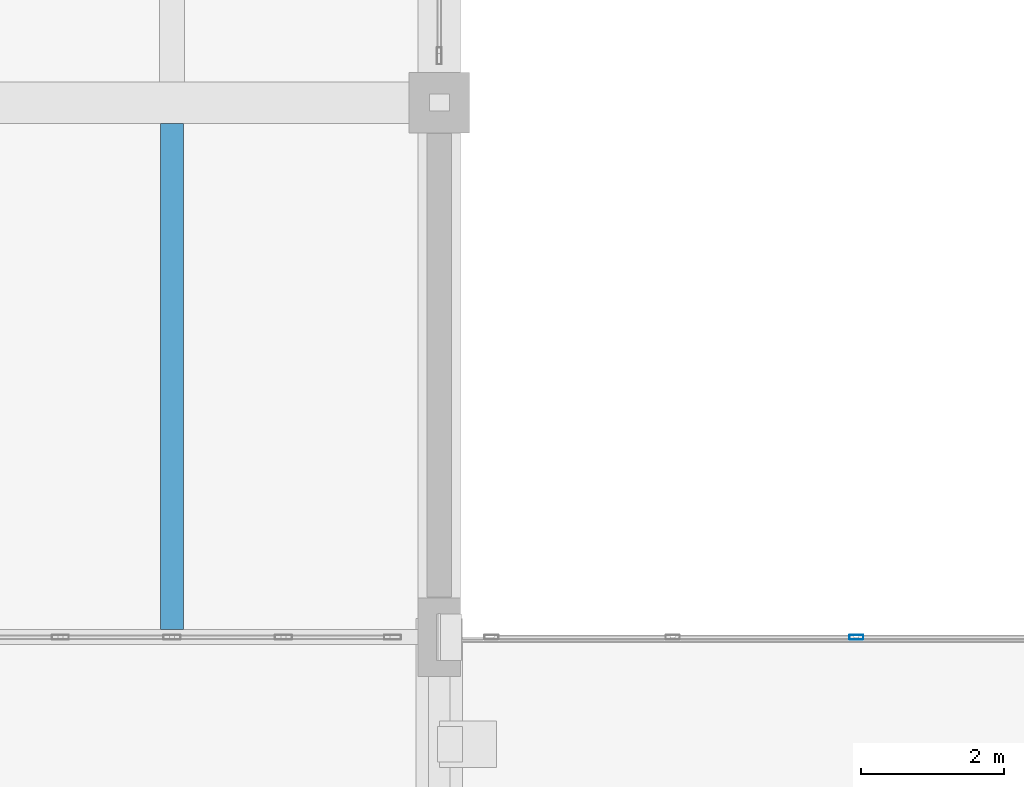
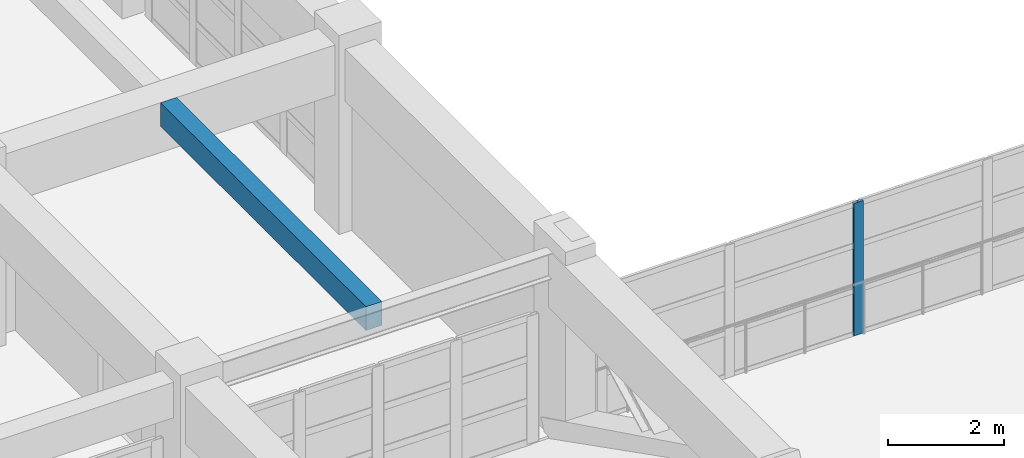
# One storey, part 37 of 132: 1 beam, 1 member, 1 element without a shape of its own.
"""IFC4 building model written with IfcOpenShell, lengths in metres."""

from ifc_helpers import new_model, si_unit, direction, frame, origin, origin_2d, place, context, subcontext, project, spatial, rectangle, hollow_rectangle, extrude, material, material_profile, profile_set, type_object, element, aggregate, save


model = new_model("IFC4")

# Units and contexts
model_context = context("Model", 3, precision=1e-05, world=origin(), true_north=direction((0.0, 1.0)))
body_context = subcontext(model_context, "Body", "Model", "MODEL_VIEW")
ifc_project = project(units=[si_unit("LENGTHUNIT", "METRE"), si_unit("AREAUNIT", "SQUARE_METRE"), si_unit("VOLUMEUNIT", "CUBIC_METRE"), si_unit("PLANEANGLEUNIT", "RADIAN"), si_unit("MASSUNIT", "GRAM", prefix="KILO")], contexts=[model_context])

# Site, building, storey
site_placement = place(None, origin())
site = spatial("IfcSite", under=ifc_project, at=site_placement, CompositionType="ELEMENT")
building_placement = place(site_placement, origin())
building = spatial("IfcBuilding", under=site, at=building_placement, Name="Qasida Concert Hall", CompositionType="ELEMENT")
storey_placement = place(building_placement, frame((0.0, 0.0, 4.800048828125)))
storey = spatial("IfcBuildingStorey", under=building, at=storey_placement, Name="L01", CompositionType="ELEMENT", Elevation=4.800048828125)

# Beam
ifc_material_1 = material(Name="Concrete C40/50", Category="concrete")
ifc_material_profile_1 = material_profile(ifc_material_1, rectangle(XDim=0.320068359375, YDim=0.5, at=origin_2d()), Name="RC 320x500")
ifc_profile_set_1 = profile_set([ifc_material_profile_1], Name="Concrete C40/50")
beam_type = type_object("IfcBeamType", Name="BM-J7", PredefinedType="JOIST", material=ifc_profile_set_1)
beam_placement = place(storey_placement, frame((101.25, 22.60498046875, 3.669921875), z_axis=(0.0, 1.0, 0.0), x_axis=(-1.0, 0.0, 0.0)))
element("IfcBeam", 1, at=beam_placement, inside=storey, type_object=beam_type, Name="L01 secondary joist 0846", PredefinedType="JOIST", context=body_context, shape_type="SweptSolid", body=[
    extrude(rectangle(XDim=0.320068359375, YDim=0.5, at=origin_2d()), origin(), (0.0, 0.0, 1.0), 7.10498046875),
])

# Curtain wall, member
ifc_material_2 = material(Name="Architectural bronze-anodized aluminium and low-E glass", Category="aluminium")
curtain_wall_type = type_object("IfcCurtainWallType", Name="CW-07", PredefinedType="NOTDEFINED", material=ifc_material_2)
curtain_wall_placement = place(storey_placement, origin())
curtain_wall = element("IfcCurtainWall", 2, at=curtain_wall_placement, inside=storey, type_object=curtain_wall_type, Name="L01 link bridge glazing 0235", PredefinedType="NOTDEFINED")
ifc_material_3 = material(Name="Architectural bronze-anodized aluminium EN AW-6063", Category="aluminium")
ifc_material_profile_2 = material_profile(ifc_material_3, hollow_rectangle(XDim=0.06494140625, YDim=0.199951171875, WallThickness=0.0048828125, InnerFilletRadius=0.0048828125, OuterFilletRadius=0.010009765625, at=origin_2d()), Name="CWM 200x65x5")
ifc_profile_set_2 = profile_set([ifc_material_profile_2], Name="Architectural bronze-anodized aluminium EN AW-6063")
member_type = type_object("IfcMemberType", Name="MB-CWM-2", PredefinedType="MULLION", material=ifc_profile_set_2)
member_placement = place(storey_placement, frame((110.85009765625, 22.5, 0.0), z_axis=(0.0, 0.0, 1.0), x_axis=(0.0, 1.0, 0.0)))
member = element("IfcMember", 3, at=member_placement, type_object=member_type, Name="CW-07 mullion 3", PredefinedType="MULLION", context=body_context, shape_type="SweptSolid", body=[
    extrude(hollow_rectangle(XDim=0.06494140625, YDim=0.199951171875, WallThickness=0.0048828125, InnerFilletRadius=0.0048828125, OuterFilletRadius=0.010009765625, at=origin_2d()), origin(), (0.0, 0.0, 1.0), 2.800048828125),
])
aggregate(curtain_wall, [member])

save(model, "model.ifc")
